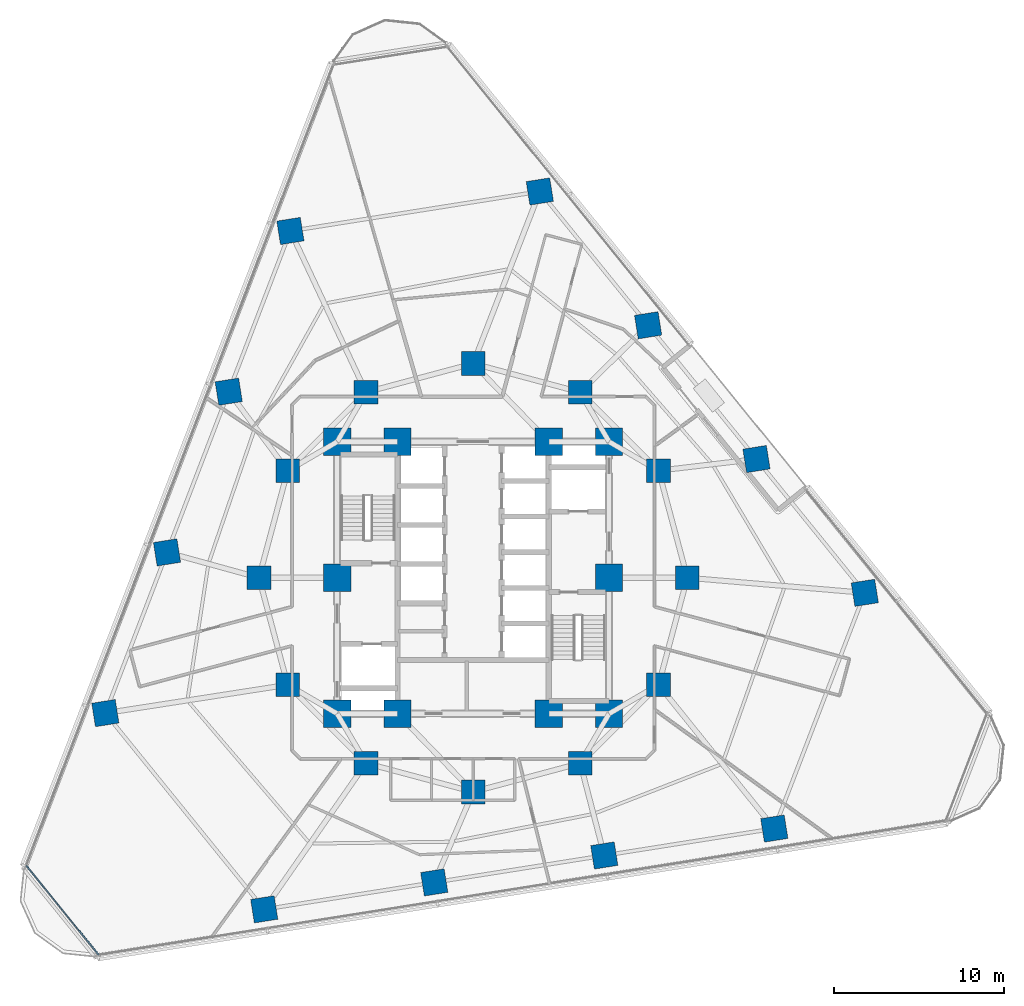
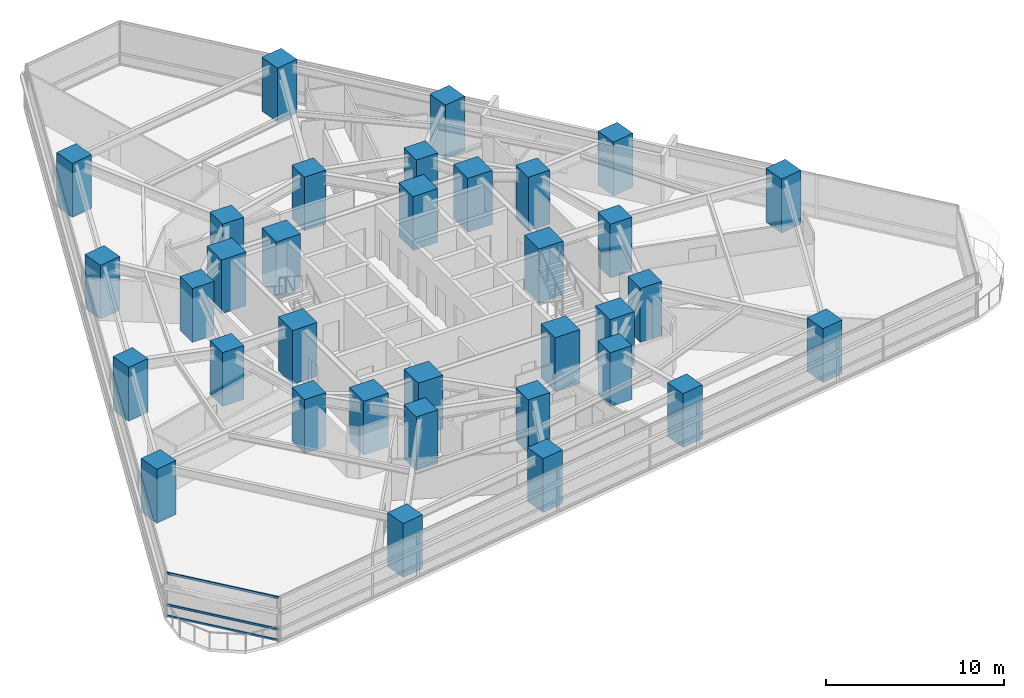
# One storey, part 1 of 14: 34 columns, 3 members, 1 element without a shape of its own.
"""IFC4 building model written with IfcOpenShell, lengths in metres."""

from ifc_helpers import new_model, si_unit, direction, frame, origin, origin_2d, place, context, subcontext, project, spatial, rectangle, extrude, material, layer, layer_set, material_profile, profile_set, type_object, element, aggregate, save


model = new_model("IFC4")

# Units and contexts
model_context = context("Model", 3, precision=1e-05, world=origin(), true_north=direction((0.0, 1.0)))
body_context = subcontext(model_context, "Body", "Model", "MODEL_VIEW")
ifc_project = project(units=[si_unit("LENGTHUNIT", "METRE"), si_unit("AREAUNIT", "SQUARE_METRE"), si_unit("VOLUMEUNIT", "CUBIC_METRE"), si_unit("PLANEANGLEUNIT", "RADIAN"), si_unit("MASSUNIT", "GRAM", prefix="KILO")], contexts=[model_context])

# Site, building, storey
site_placement = place(None, origin())
site = spatial("IfcSite", under=ifc_project, at=site_placement, CompositionType="ELEMENT")
building_placement = place(site_placement, origin())
building = spatial("IfcBuilding", under=site, at=building_placement, Name="Terralouvre Media Tower", CompositionType="ELEMENT")
storey_placement = place(building_placement, frame((0.0, 0.0, 63.0)))
storey = spatial("IfcBuildingStorey", under=building, at=storey_placement, Name="L15", CompositionType="ELEMENT", Elevation=63.0)

# Columns
ifc_material_1 = material(Name="Concrete C60/75", Category="concrete")
ifc_material_profile_1 = material_profile(ifc_material_1, rectangle(XDim=1.39990234375, YDim=1.39990234375, at=origin_2d()), Name="RC 1400x1400")
ifc_profile_set_1 = profile_set([ifc_material_profile_1], Name="Concrete C60/75")
column_type_1 = type_object("IfcColumnType", Name="Structural Column C-RC1400 (RC 1400x1400)", PredefinedType="COLUMN", material=ifc_profile_set_1)
for number, where, z_axis, x_axis, name in (
    (1, (12.60009765625, 0.0, 0.0), (0.0, 0.0, 1.0), (1.0, 0.0, 0.0), "L15 Mega-Frame Column MC01"),
    (2, (10.911865234375, 6.300048828125, 0.0), (0.0, 0.0, 1.0), (1.0, 0.0, 0.0), "L15 Mega-Frame Column MC02"),
    (3, (6.300048828125, 10.911865234375, 0.0), (0.0, 0.0, 1.0), (1.0, 0.0, 0.0), "L15 Mega-Frame Column MC03"),
    (4, (0.0, 12.60009765625, 0.0), (0.0, 0.0, 1.0), (1.0, 0.0, 0.0), "L15 Mega-Frame Column MC04"),
    (5, (-6.300048828125, 10.911865234375, 0.0), (0.0, 0.0, 1.0), (1.0, 0.0, 0.0), "L15 Mega-Frame Column MC05"),
    (6, (-10.911865234375, 6.300048828125, 0.0), (0.0, 0.0, 1.0), (1.0, 0.0, 0.0), "L15 Mega-Frame Column MC06"),
    (7, (-12.60009765625, 0.0, 0.0), (0.0, 0.0, 1.0), (1.0, 0.0, 0.0), "L15 Mega-Frame Column MC07"),
    (8, (-10.911865234375, -6.300048828125, 0.0), (0.0, 0.0, 1.0), (1.0, 0.0, 0.0), "L15 Mega-Frame Column MC08"),
    (9, (-6.300048828125, -10.911865234375, 0.0), (0.0, 0.0, 1.0), (1.0, 0.0, 0.0), "L15 Mega-Frame Column MC09"),
    (10, (0.0, -12.60009765625, 0.0), (0.0, 0.0, 1.0), (1.0, 0.0, 0.0), "L15 Mega-Frame Column MC10"),
    (11, (6.300048828125, -10.911865234375, 0.0), (0.0, 0.0, 1.0), (1.0, 0.0, 0.0), "L15 Mega-Frame Column MC11"),
    (12, (10.911865234375, -6.300048828125, 0.0), (0.0, 0.0, 1.0), (1.0, 0.0, 0.0), "L15 Mega-Frame Column MC12"),
    (13, (-12.291015625, -19.511474609375, 0.0), (0.0, 0.0, 1.0), (0.987688340595, 0.15643446504, 0.0), "L15 Perimeter Mega-Column PC11"),
    (14, (-2.287841796875, -17.927001953125, 0.0), (0.0, 0.0, 1.0), (0.987688340595, 0.15643446504, 0.0), "L15 Perimeter Mega-Column PC12"),
    (15, (7.715576171875, -16.3427734375, 0.0), (0.0, 0.0, 1.0), (0.987688340595, 0.15643446504, 0.0), "L15 Perimeter Mega-Column PC13"),
    (16, (17.71875, -14.75830078125, 0.0), (0.0, 0.0, 1.0), (0.987688340595, 0.15643446504, 0.0), "L15 Perimeter Mega-Column PC14"),
    (17, (23.04296875, -0.888671875, 0.0), (0.0, 0.0, 1.0), (0.987688340595, 0.15643446504, 0.0), "L15 Perimeter Mega-Column PC21"),
    (18, (16.669189453125, 6.982421875, 0.0), (0.0, 0.0, 1.0), (0.987688340595, 0.15643446504, 0.0), "L15 Perimeter Mega-Column PC22"),
    (19, (10.29541015625, 14.853271484375, 0.0), (0.0, 0.0, 1.0), (0.987688340595, 0.15643446504, 0.0), "L15 Perimeter Mega-Column PC23"),
    (20, (3.921630859375, 22.72412109375, 0.0), (0.0, 0.0, 1.0), (0.987688340595, 0.15643446504, 0.0), "L15 Perimeter Mega-Column PC24"),
    (21, (-10.751953125, 20.400146484375, 0.0), (0.0, 0.0, 1.0), (0.987688340595, 0.15643446504, 0.0), "L15 Perimeter Mega-Column PC31"),
    (22, (-14.38134765625, 10.94482421875, 0.0), (0.0, 0.0, 1.0), (0.987688340595, 0.15643446504, 0.0), "L15 Perimeter Mega-Column PC32"),
    (23, (-18.010986328125, 1.489501953125, 0.0), (0.0, 0.0, 1.0), (0.987688340595, 0.15643446504, 0.0), "L15 Perimeter Mega-Column PC33"),
    (24, (-21.640625, -7.9658203125, 0.0), (0.0, 0.0, 1.0), (0.987688340595, 0.15643446504, 0.0), "L15 Perimeter Mega-Column PC34"),
):
    element("IfcColumn", number, at=place(storey_placement, frame(where, z_axis=z_axis, x_axis=x_axis)), inside=storey, type_object=column_type_1, Name=name, PredefinedType="COLUMN", context=body_context, shape_type="SweptSolid", body=[
        extrude(rectangle(XDim=1.39990234375, YDim=1.39990234375, at=origin_2d()), origin(), (0.0, 0.0, 1.0), 3.699951171875),
    ])
ifc_material_2 = material(Name="Concrete C60/75", Category="concrete")
ifc_material_profile_2 = material_profile(ifc_material_2, rectangle(XDim=1.60009765625, YDim=1.60009765625, at=origin_2d()), Name="RC 1600x1600")
ifc_profile_set_2 = profile_set([ifc_material_profile_2], Name="Concrete C60/75")
column_type_2 = type_object("IfcColumnType", Name="Structural Column C-RC1600 (RC 1600x1600)", PredefinedType="COLUMN", material=ifc_profile_set_2)
for number, where, z_axis, x_axis, name in (
    (25, (-8.0, -8.0, 0.0), (0.0, 0.0, 1.0), (1.0, 0.0, 0.0), "L15 Core Pilaster Column CP1"),
    (26, (-4.449951171875, -8.0, 0.0), (0.0, 0.0, 1.0), (1.0, 0.0, 0.0), "L15 Core Pilaster Column CP2"),
    (27, (4.449951171875, -8.0, 0.0), (0.0, 0.0, 1.0), (1.0, 0.0, 0.0), "L15 Core Pilaster Column CP10"),
    (28, (8.0, -8.0, 0.0), (0.0, 0.0, 1.0), (1.0, 0.0, 0.0), "L15 Core Pilaster Column CP3"),
    (29, (8.0, 0.0, 0.0), (0.0, 0.0, 1.0), (1.0, 0.0, 0.0), "L15 Core Pilaster Column CP4"),
    (30, (8.0, 8.0, 0.0), (0.0, 0.0, 1.0), (1.0, 0.0, 0.0), "L15 Core Pilaster Column CP5"),
    (31, (4.449951171875, 8.0, 0.0), (0.0, 0.0, 1.0), (1.0, 0.0, 0.0), "L15 Core Pilaster Column CP9"),
    (32, (-4.449951171875, 8.0, 0.0), (0.0, 0.0, 1.0), (1.0, 0.0, 0.0), "L15 Core Pilaster Column CP6"),
    (33, (-8.0, 8.0, 0.0), (0.0, 0.0, 1.0), (1.0, 0.0, 0.0), "L15 Core Pilaster Column CP7"),
    (34, (-8.0, 0.0, 0.0), (0.0, 0.0, 1.0), (1.0, 0.0, 0.0), "L15 Core Pilaster Column CP8"),
):
    element("IfcColumn", number, at=place(storey_placement, frame(where, z_axis=z_axis, x_axis=x_axis)), inside=storey, type_object=column_type_2, Name=name, PredefinedType="COLUMN", context=body_context, shape_type="SweptSolid", body=[
        extrude(rectangle(XDim=1.60009765625, YDim=1.60009765625, at=origin_2d()), origin(), (0.0, 0.0, 1.0), 3.699951171875),
    ])

# Curtain wall, members
ifc_material_3 = material(Name="Low-iron laminated double glazing with solar-control coating", Category="glass")
ifc_layer = layer(ifc_material_3, 0.1650390625, Name="Rounded Wind-Corner Curved Glazing CW-04")
ifc_layer_set = layer_set([ifc_layer], Name="Low-iron laminated double glazing with solar-control coating")
curtain_wall_type = type_object("IfcCurtainWallType", Name="Rounded Wind-Corner Curved Glazing CW-04", PredefinedType="NOTDEFINED", material=ifc_layer_set)
curtain_wall_placement = place(storey_placement, origin())
curtain_wall = element("IfcCurtainWall", 35, at=curtain_wall_placement, inside=storey, type_object=curtain_wall_type, Name="L15 Rounded Wind-Corner Curtain Wall C0", PredefinedType="NOTDEFINED")
ifc_material_4 = material(Name="Anodised extruded aluminium 6063-T6", Category="aluminium")
ifc_material_profile_3 = material_profile(ifc_material_4, rectangle(XDim=0.074951171875, YDim=0.14990234375, at=origin_2d()), Name="ALU 75x150")
ifc_profile_set_3 = profile_set([ifc_material_profile_3], Name="Anodised extruded aluminium 6063-T6")
member_type = type_object("IfcMemberType", Name="Curtain-Wall Horizontal Transom TR-150", PredefinedType="USERDEFINED", material=ifc_profile_set_3)
member_1_placement = place(storey_placement, frame((-26.281005859375, -16.943359375, 0.03759765625), z_axis=(0.629324238094, -0.777142846167, 0.0), x_axis=(0.777142846167, 0.629324238094, 0.0)))
member_1 = element("IfcMember", 36, at=member_1_placement, type_object=member_type, Name="CW-04 transom 1.1", ObjectType="TRANSOM", PredefinedType="USERDEFINED", context=body_context, shape_type="SweptSolid", body=[
    extrude(rectangle(XDim=0.074951171875, YDim=0.14990234375, at=origin_2d()), origin(), (0.0, 0.0, 1.0), 6.74365234375),
])
member_2_placement = place(storey_placement, frame((-26.281005859375, -16.943359375, 0.800048828125), z_axis=(0.629324238094, -0.777142846167, 0.0), x_axis=(0.777142846167, 0.629324238094, 0.0)))
member_2 = element("IfcMember", 37, at=member_2_placement, type_object=member_type, Name="CW-04 transom 1.2", ObjectType="TRANSOM", PredefinedType="USERDEFINED", context=body_context, shape_type="SweptSolid", body=[
    extrude(rectangle(XDim=0.074951171875, YDim=0.14990234375, at=origin_2d()), origin(), (0.0, 0.0, 1.0), 6.74365234375),
])
member_3_placement = place(storey_placement, frame((-26.281005859375, -16.943359375, 2.96240234375), z_axis=(0.629324238094, -0.777142846167, 0.0), x_axis=(0.777142846167, 0.629324238094, 0.0)))
member_3 = element("IfcMember", 38, at=member_3_placement, type_object=member_type, Name="CW-04 transom 1.3", ObjectType="TRANSOM", PredefinedType="USERDEFINED", context=body_context, shape_type="SweptSolid", body=[
    extrude(rectangle(XDim=0.074951171875, YDim=0.14990234375, at=origin_2d()), origin(), (0.0, 0.0, 1.0), 6.74365234375),
])
aggregate(curtain_wall, [member_1, member_2, member_3])

save(model, "model.ifc")
